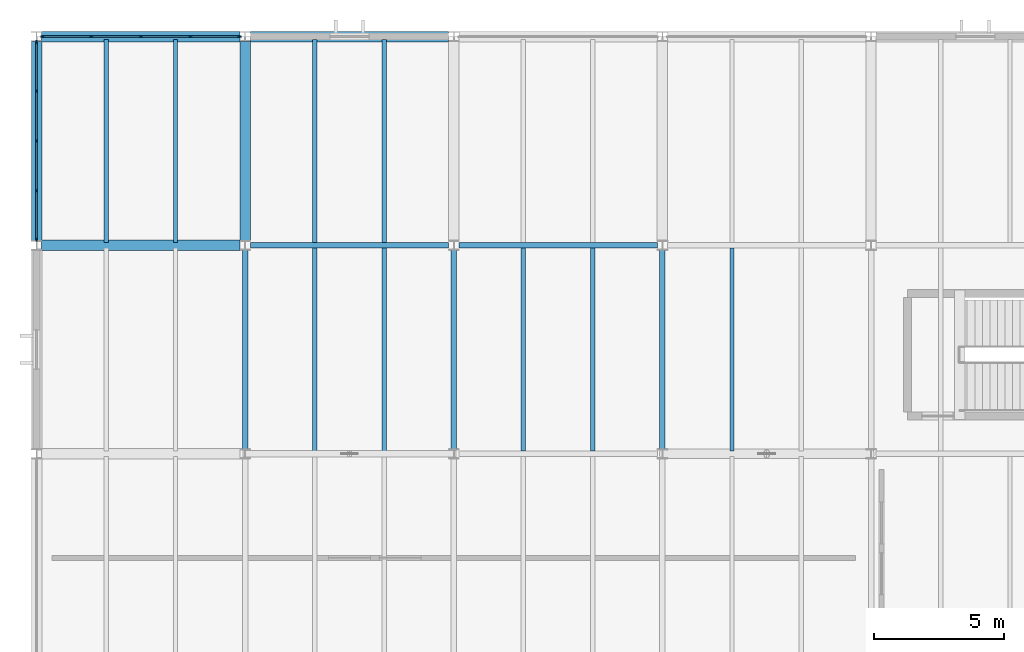
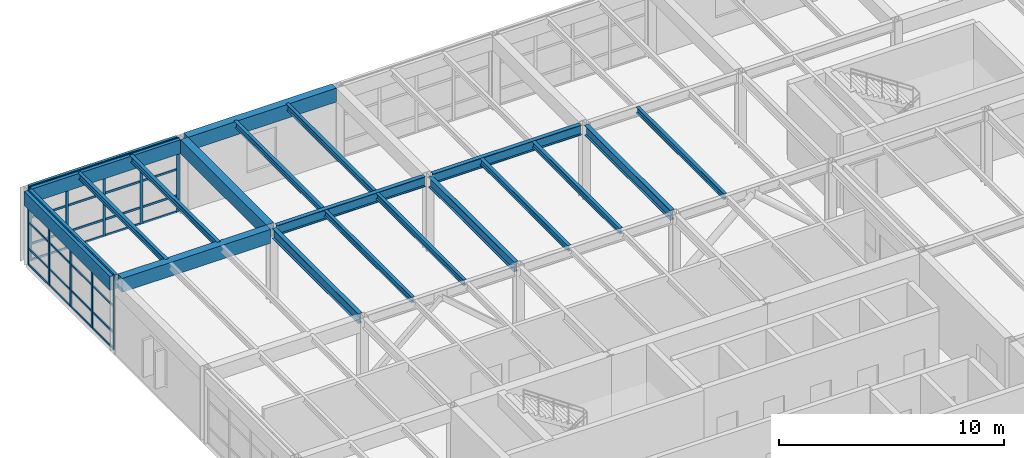
# One storey, part 15 of 48: 42 members, 19 beams, 2 elements without a shape of their own.
"""IFC4 building model written with IfcOpenShell, lengths in metres."""

from ifc_helpers import new_model, si_unit, direction, frame, origin, origin_2d, place, context, subcontext, project, spatial, rectangle, i_section, extrude, material, layer, layer_set, material_profile, profile_set, type_object, element, aggregate, save


model = new_model("IFC4")

# Units and contexts
model_context = context("Model", 3, precision=1e-05, world=origin(), true_north=direction((0.0, 1.0)))
body_context = subcontext(model_context, "Body", "Model", "MODEL_VIEW")
ifc_project = project(units=[si_unit("LENGTHUNIT", "METRE"), si_unit("AREAUNIT", "SQUARE_METRE"), si_unit("VOLUMEUNIT", "CUBIC_METRE"), si_unit("PLANEANGLEUNIT", "RADIAN"), si_unit("MASSUNIT", "GRAM", prefix="KILO")], contexts=[model_context])

# Site, building, storey
site_placement = place(None, origin())
site = spatial("IfcSite", under=ifc_project, at=site_placement, CompositionType="ELEMENT")
building_placement = place(site_placement, origin())
building = spatial("IfcBuilding", under=site, at=building_placement, Name="Varnela Railside Interchange", CompositionType="ELEMENT")
storey_placement = place(building_placement, frame((0.0, 0.0, 11.199951171875)))
storey = spatial("IfcBuildingStorey", under=building, at=storey_placement, Name="L02", CompositionType="ELEMENT", Elevation=11.199951171875)

# Beams
ifc_material_1 = material(Name="Steel AR 350 (350 MPa)", Category="steel")
ifc_material_profile_1 = material_profile(ifc_material_1, i_section(OverallWidth=0.2109375, OverallDepth=0.5390625, WebThickness=0.01171875, FlangeThickness=0.018798828125, at=origin_2d()), Name="W530x109")
ifc_profile_set_1 = profile_set([ifc_material_profile_1], Name="Steel AR 350 (350 MPa)")
beam_type_1 = type_object("IfcBeamType", Name="Composite Girder B-17", PredefinedType="BEAM", material=ifc_profile_set_1)
for number, where, z_axis, x_axis, name in (
    (1, (12.0, 78.1875, 3.73046875), (0.0, 1.0, 0.0), (-1.0, 0.0, 0.0), "Composite Girder B-17 (L02) (BM-2066)"),
    (2, (20.0, 78.1875, 3.73046875), (0.0, 1.0, 0.0), (-1.0, 0.0, 0.0), "Composite Girder B-17 (L02) (BM-2071)"),
    (3, (28.0, 78.1875, 3.73046875), (0.0, 1.0, 0.0), (-1.0, 0.0, 0.0), "Composite Girder B-17 (L02) (BM-2076)"),
):
    element("IfcBeam", number, at=place(storey_placement, frame(where, z_axis=z_axis, x_axis=x_axis)), inside=storey, type_object=beam_type_1, Name=name, PredefinedType="BEAM", context=body_context, shape_type="SweptSolid", body=[
        extrude(i_section(OverallWidth=0.2109375, OverallDepth=0.5390625, WebThickness=0.01171875, FlangeThickness=0.018798828125, at=origin_2d()), origin(), (0.0, 0.0, 1.0), 7.625),
    ])
ifc_material_profile_2 = material_profile(ifc_material_1, i_section(OverallWidth=0.2119140625, OverallDepth=0.5439453125, WebThickness=0.01318359375, FlangeThickness=0.021240234375, at=origin_2d()), Name="W530x123")
ifc_profile_set_2 = profile_set([ifc_material_profile_2], Name="Steel AR 350 (350 MPa)")
beam_type_2 = type_object("IfcBeamType", Name="Composite Heavy Girder B-16", PredefinedType="BEAM", material=ifc_profile_set_2)
for number, where, z_axis, x_axis, name in (
    (4, (12.197021484375, 86.0, 3.72802734375), (1.0, 0.0, 0.0), (0.0, 1.0, 0.0), "Composite Heavy Girder B-16 (L02) (BM-2003)"),
    (5, (20.197021484375, 86.0, 3.72802734375), (1.0, 0.0, 0.0), (0.0, 1.0, 0.0), "Composite Heavy Girder B-16 (L02) (BM-2005)"),
):
    element("IfcBeam", number, at=place(storey_placement, frame(where, z_axis=z_axis, x_axis=x_axis)), inside=storey, type_object=beam_type_2, Name=name, PredefinedType="BEAM", context=body_context, shape_type="SweptSolid", body=[
        extrude(i_section(OverallWidth=0.2119140625, OverallDepth=0.5439453125, WebThickness=0.01318359375, FlangeThickness=0.021240234375, at=origin_2d()), origin(), (0.0, 0.0, 1.0), 7.60595703125),
    ])
ifc_material_profile_3 = material_profile(ifc_material_1, i_section(OverallWidth=0.1669921875, OverallDepth=0.31689453125, WebThickness=0.007568359375, FlangeThickness=0.01318359375, at=origin_2d()), Name="W310x52")
ifc_profile_set_3 = profile_set([ifc_material_profile_3], Name="Steel AR 350 (350 MPa)")
beam_type_3 = type_object("IfcBeamType", Name="Composite Long-Span Joist J-03", PredefinedType="JOIST", material=ifc_profile_set_3)
for number, where, z_axis, x_axis, name in (
    (6, (6.669921875, 86.10595703125, 3.841552734375), (0.0, 1.0, 0.0), (-1.0, 0.0, 0.0), "Composite Long-Span Joist J-03 (L02) (BM-1825)"),
    (7, (9.330078125, 86.10595703125, 3.841552734375), (0.0, 1.0, 0.0), (-1.0, 0.0, 0.0), "Composite Long-Span Joist J-03 (L02) (BM-1826)"),
    (8, (14.669921875, 78.10595703125, 3.841552734375), (0.0, 1.0, 0.0), (-1.0, 0.0, 0.0), "Composite Long-Span Joist J-03 (L02) (BM-1884)"),
    (9, (17.330078125, 78.10595703125, 3.841552734375), (0.0, 1.0, 0.0), (-1.0, 0.0, 0.0), "Composite Long-Span Joist J-03 (L02) (BM-1885)"),
    (10, (14.669921875, 86.10595703125, 3.841552734375), (0.0, 1.0, 0.0), (-1.0, 0.0, 0.0), "Composite Long-Span Joist J-03 (L02) (BM-1876)"),
    (11, (17.330078125, 86.10595703125, 3.841552734375), (0.0, 1.0, 0.0), (-1.0, 0.0, 0.0), "Composite Long-Span Joist J-03 (L02) (BM-1877)"),
    (12, (22.669921875, 78.10595703125, 3.841552734375), (0.0, 1.0, 0.0), (-1.0, 0.0, 0.0), "Composite Long-Span Joist J-03 (L02) (BM-1894)"),
    (13, (25.330078125, 78.10595703125, 3.841552734375), (0.0, 1.0, 0.0), (-1.0, 0.0, 0.0), "Composite Long-Span Joist J-03 (L02) (BM-1895)"),
    (14, (30.669921875, 78.10595703125, 3.841552734375), (0.0, 1.0, 0.0), (-1.0, 0.0, 0.0), "Composite Long-Span Joist J-03 (L02) (BM-1904)"),
):
    element("IfcBeam", number, at=place(storey_placement, frame(where, z_axis=z_axis, x_axis=x_axis)), inside=storey, type_object=beam_type_3, Name=name, PredefinedType="JOIST", context=body_context, shape_type="SweptSolid", body=[
        extrude(i_section(OverallWidth=0.1669921875, OverallDepth=0.31689453125, WebThickness=0.007568359375, FlangeThickness=0.01318359375, at=origin_2d()), origin(), (0.0, 0.0, 1.0), 7.7880859375),
    ])

# Curtain wall, members
ifc_material_2 = material(Name="Aluminium 6063-T6", Category="aluminium")
ifc_layer = layer(ifc_material_2, 0.035888671875)
ifc_layer_set = layer_set([ifc_layer], Name="Aluminium 6063-T6")
curtain_wall_type = type_object("IfcCurtainWallType", Name="Operations Wing Facade Curtain Wall CW-03", PredefinedType="USERDEFINED", material=ifc_layer_set)
curtain_wall_1_placement = place(storey_placement, origin())
curtain_wall_1 = element("IfcCurtainWall", 15, at=curtain_wall_1_placement, inside=storey, type_object=curtain_wall_type, Name="Curtain Wall CW-03 (L02) (CW-061)", ObjectType="CURTAIN WALL", PredefinedType="USERDEFINED")
ifc_material_profile_4 = material_profile(ifc_material_2, rectangle(XDim=0.06005859375, YDim=0.139892578125, at=origin_2d()), Name="ALU 60x140")
ifc_profile_set_4 = profile_set([ifc_material_profile_4], Name="Aluminium 6063-T6")
member_type_1 = type_object("IfcMemberType", Name="Curtain Wall Mullion ML-01", PredefinedType="MULLION", material=ifc_profile_set_4)
member_1_placement = place(storey_placement, frame((4.0, 86.217529296875, 0.0), z_axis=(0.0, 0.0, 1.0), x_axis=(-1.0, 0.0, 0.0)))
member_1 = element("IfcMember", 16, at=member_1_placement, type_object=member_type_1, Name="CW-03 mullion 1", PredefinedType="MULLION", context=body_context, shape_type="SweptSolid", body=[
    extrude(rectangle(XDim=0.06005859375, YDim=0.139892578125, at=origin_2d()), origin(), (0.0, 0.0, 1.0), 4.0),
])
member_2_placement = place(storey_placement, frame((4.0, 88.09375, 0.0), z_axis=(0.0, 0.0, 1.0), x_axis=(-1.0, 0.0, 0.0)))
member_2 = element("IfcMember", 17, at=member_2_placement, type_object=member_type_1, Name="CW-03 mullion 2", PredefinedType="MULLION", context=body_context, shape_type="SweptSolid", body=[
    extrude(rectangle(XDim=0.06005859375, YDim=0.139892578125, at=origin_2d()), origin(), (0.0, 0.0, 1.0), 4.0),
])
member_3_placement = place(storey_placement, frame((4.0, 90.0, 0.0), z_axis=(0.0, 0.0, 1.0), x_axis=(-1.0, 0.0, 0.0)))
member_3 = element("IfcMember", 18, at=member_3_placement, type_object=member_type_1, Name="CW-03 mullion 3", PredefinedType="MULLION", context=body_context, shape_type="SweptSolid", body=[
    extrude(rectangle(XDim=0.06005859375, YDim=0.139892578125, at=origin_2d()), origin(), (0.0, 0.0, 1.0), 4.0),
])
member_4_placement = place(storey_placement, frame((4.0, 91.90625, 0.0), z_axis=(0.0, 0.0, 1.0), x_axis=(-1.0, 0.0, 0.0)))
member_4 = element("IfcMember", 19, at=member_4_placement, type_object=member_type_1, Name="CW-03 mullion 4", PredefinedType="MULLION", context=body_context, shape_type="SweptSolid", body=[
    extrude(rectangle(XDim=0.06005859375, YDim=0.139892578125, at=origin_2d()), origin(), (0.0, 0.0, 1.0), 4.0),
])
member_5_placement = place(storey_placement, frame((4.0, 93.782470703125, 0.0), z_axis=(0.0, 0.0, 1.0), x_axis=(-1.0, 0.0, 0.0)))
member_5 = element("IfcMember", 20, at=member_5_placement, type_object=member_type_1, Name="CW-03 mullion 5", PredefinedType="MULLION", context=body_context, shape_type="SweptSolid", body=[
    extrude(rectangle(XDim=0.06005859375, YDim=0.139892578125, at=origin_2d()), origin(), (0.0, 0.0, 1.0), 4.0),
])

curtain_wall_2_placement = place(storey_placement, origin())
curtain_wall_2 = element("IfcCurtainWall", 21, at=curtain_wall_2_placement, inside=storey, type_object=curtain_wall_type, Name="Curtain Wall CW-03 (L02) (CW-067)", ObjectType="CURTAIN WALL", PredefinedType="USERDEFINED")
member_6_placement = place(storey_placement, frame((4.22705078125, 94.0, 0.0), z_axis=(0.0, 0.0, 1.0), x_axis=(0.0, 1.0, 0.0)))
member_6 = element("IfcMember", 22, at=member_6_placement, type_object=member_type_1, Name="CW-03 mullion 1", PredefinedType="MULLION", context=body_context, shape_type="SweptSolid", body=[
    extrude(rectangle(XDim=0.06005859375, YDim=0.139892578125, at=origin_2d()), origin(), (0.0, 0.0, 1.0), 4.0),
])
member_7_placement = place(storey_placement, frame((6.098388671875, 94.0, 0.0), z_axis=(0.0, 0.0, 1.0), x_axis=(0.0, 1.0, 0.0)))
member_7 = element("IfcMember", 23, at=member_7_placement, type_object=member_type_1, Name="CW-03 mullion 2", PredefinedType="MULLION", context=body_context, shape_type="SweptSolid", body=[
    extrude(rectangle(XDim=0.06005859375, YDim=0.139892578125, at=origin_2d()), origin(), (0.0, 0.0, 1.0), 4.0),
])
member_8_placement = place(storey_placement, frame((8.0, 94.0, 0.0), z_axis=(0.0, 0.0, 1.0), x_axis=(0.0, 1.0, 0.0)))
member_8 = element("IfcMember", 24, at=member_8_placement, type_object=member_type_1, Name="CW-03 mullion 3", PredefinedType="MULLION", context=body_context, shape_type="SweptSolid", body=[
    extrude(rectangle(XDim=0.06005859375, YDim=0.139892578125, at=origin_2d()), origin(), (0.0, 0.0, 1.0), 4.0),
])
member_9_placement = place(storey_placement, frame((9.901611328125, 94.0, 0.0), z_axis=(0.0, 0.0, 1.0), x_axis=(0.0, 1.0, 0.0)))
member_9 = element("IfcMember", 25, at=member_9_placement, type_object=member_type_1, Name="CW-03 mullion 4", PredefinedType="MULLION", context=body_context, shape_type="SweptSolid", body=[
    extrude(rectangle(XDim=0.06005859375, YDim=0.139892578125, at=origin_2d()), origin(), (0.0, 0.0, 1.0), 4.0),
])
member_10_placement = place(storey_placement, frame((11.77294921875, 94.0, 0.0), z_axis=(0.0, 0.0, 1.0), x_axis=(0.0, 1.0, 0.0)))
member_10 = element("IfcMember", 26, at=member_10_placement, type_object=member_type_1, Name="CW-03 mullion 5", PredefinedType="MULLION", context=body_context, shape_type="SweptSolid", body=[
    extrude(rectangle(XDim=0.06005859375, YDim=0.139892578125, at=origin_2d()), origin(), (0.0, 0.0, 1.0), 4.0),
])

# Member
ifc_material_profile_5 = material_profile(ifc_material_2, rectangle(XDim=0.06005859375, YDim=0.110107421875, at=origin_2d()), Name="ALU 60x110")
ifc_profile_set_5 = profile_set([ifc_material_profile_5], Name="Aluminium 6063-T6")
member_type_2 = type_object("IfcMemberType", Name="Curtain Wall Transom TR-01", PredefinedType="USERDEFINED", material=ifc_profile_set_5)
member_11_placement = place(storey_placement, frame((4.0, 86.24755859375, 0.030029296875), z_axis=(0.0, 1.0, 0.0), x_axis=(-1.0, 0.0, 0.0)))
member_11 = element("IfcMember", 27, at=member_11_placement, type_object=member_type_2, Name="CW-03 transom 1.1", ObjectType="TRANSOM", PredefinedType="USERDEFINED", context=body_context, shape_type="SweptSolid", body=[
    extrude(rectangle(XDim=0.06005859375, YDim=0.110107421875, at=origin_2d()), origin(), (0.0, 0.0, 1.0), 1.816162109375),
])

member_12_placement = place(storey_placement, frame((4.0, 86.24755859375, 0.900146484375), z_axis=(0.0, 1.0, 0.0), x_axis=(-1.0, 0.0, 0.0)))
member_12 = element("IfcMember", 28, at=member_12_placement, type_object=member_type_2, Name="CW-03 transom 1.2", ObjectType="TRANSOM", PredefinedType="USERDEFINED", context=body_context, shape_type="SweptSolid", body=[
    extrude(rectangle(XDim=0.06005859375, YDim=0.110107421875, at=origin_2d()), origin(), (0.0, 0.0, 1.0), 1.816162109375),
])

member_13_placement = place(storey_placement, frame((4.0, 86.24755859375, 2.320068359375), z_axis=(0.0, 1.0, 0.0), x_axis=(-1.0, 0.0, 0.0)))
member_13 = element("IfcMember", 29, at=member_13_placement, type_object=member_type_2, Name="CW-03 transom 1.3", ObjectType="TRANSOM", PredefinedType="USERDEFINED", context=body_context, shape_type="SweptSolid", body=[
    extrude(rectangle(XDim=0.06005859375, YDim=0.110107421875, at=origin_2d()), origin(), (0.0, 0.0, 1.0), 1.816162109375),
])

member_14_placement = place(storey_placement, frame((4.0, 86.24755859375, 3.969970703125), z_axis=(0.0, 1.0, 0.0), x_axis=(-1.0, 0.0, 0.0)))
member_14 = element("IfcMember", 30, at=member_14_placement, type_object=member_type_2, Name="CW-03 transom 1.4", ObjectType="TRANSOM", PredefinedType="USERDEFINED", context=body_context, shape_type="SweptSolid", body=[
    extrude(rectangle(XDim=0.06005859375, YDim=0.110107421875, at=origin_2d()), origin(), (0.0, 0.0, 1.0), 1.816162109375),
])

member_15_placement = place(storey_placement, frame((4.0, 88.123779296875, 0.030029296875), z_axis=(0.0, 1.0, 0.0), x_axis=(-1.0, 0.0, 0.0)))
member_15 = element("IfcMember", 31, at=member_15_placement, type_object=member_type_2, Name="CW-03 transom 2.1", ObjectType="TRANSOM", PredefinedType="USERDEFINED", context=body_context, shape_type="SweptSolid", body=[
    extrude(rectangle(XDim=0.06005859375, YDim=0.110107421875, at=origin_2d()), origin(), (0.0, 0.0, 1.0), 1.84619140625),
])

member_16_placement = place(storey_placement, frame((4.0, 88.123779296875, 0.900146484375), z_axis=(0.0, 1.0, 0.0), x_axis=(-1.0, 0.0, 0.0)))
member_16 = element("IfcMember", 32, at=member_16_placement, type_object=member_type_2, Name="CW-03 transom 2.2", ObjectType="TRANSOM", PredefinedType="USERDEFINED", context=body_context, shape_type="SweptSolid", body=[
    extrude(rectangle(XDim=0.06005859375, YDim=0.110107421875, at=origin_2d()), origin(), (0.0, 0.0, 1.0), 1.84619140625),
])

member_17_placement = place(storey_placement, frame((4.0, 88.123779296875, 2.320068359375), z_axis=(0.0, 1.0, 0.0), x_axis=(-1.0, 0.0, 0.0)))
member_17 = element("IfcMember", 33, at=member_17_placement, type_object=member_type_2, Name="CW-03 transom 2.3", ObjectType="TRANSOM", PredefinedType="USERDEFINED", context=body_context, shape_type="SweptSolid", body=[
    extrude(rectangle(XDim=0.06005859375, YDim=0.110107421875, at=origin_2d()), origin(), (0.0, 0.0, 1.0), 1.84619140625),
])

member_18_placement = place(storey_placement, frame((4.0, 88.123779296875, 3.969970703125), z_axis=(0.0, 1.0, 0.0), x_axis=(-1.0, 0.0, 0.0)))
member_18 = element("IfcMember", 34, at=member_18_placement, type_object=member_type_2, Name="CW-03 transom 2.4", ObjectType="TRANSOM", PredefinedType="USERDEFINED", context=body_context, shape_type="SweptSolid", body=[
    extrude(rectangle(XDim=0.06005859375, YDim=0.110107421875, at=origin_2d()), origin(), (0.0, 0.0, 1.0), 1.84619140625),
])

member_19_placement = place(storey_placement, frame((4.0, 90.030029296875, 0.030029296875), z_axis=(0.0, 1.0, 0.0), x_axis=(-1.0, 0.0, 0.0)))
member_19 = element("IfcMember", 35, at=member_19_placement, type_object=member_type_2, Name="CW-03 transom 3.1", ObjectType="TRANSOM", PredefinedType="USERDEFINED", context=body_context, shape_type="SweptSolid", body=[
    extrude(rectangle(XDim=0.06005859375, YDim=0.110107421875, at=origin_2d()), origin(), (0.0, 0.0, 1.0), 1.84619140625),
])

member_20_placement = place(storey_placement, frame((4.0, 90.030029296875, 0.900146484375), z_axis=(0.0, 1.0, 0.0), x_axis=(-1.0, 0.0, 0.0)))
member_20 = element("IfcMember", 36, at=member_20_placement, type_object=member_type_2, Name="CW-03 transom 3.2", ObjectType="TRANSOM", PredefinedType="USERDEFINED", context=body_context, shape_type="SweptSolid", body=[
    extrude(rectangle(XDim=0.06005859375, YDim=0.110107421875, at=origin_2d()), origin(), (0.0, 0.0, 1.0), 1.84619140625),
])

member_21_placement = place(storey_placement, frame((4.0, 90.030029296875, 2.320068359375), z_axis=(0.0, 1.0, 0.0), x_axis=(-1.0, 0.0, 0.0)))
member_21 = element("IfcMember", 37, at=member_21_placement, type_object=member_type_2, Name="CW-03 transom 3.3", ObjectType="TRANSOM", PredefinedType="USERDEFINED", context=body_context, shape_type="SweptSolid", body=[
    extrude(rectangle(XDim=0.06005859375, YDim=0.110107421875, at=origin_2d()), origin(), (0.0, 0.0, 1.0), 1.84619140625),
])

member_22_placement = place(storey_placement, frame((4.0, 90.030029296875, 3.969970703125), z_axis=(0.0, 1.0, 0.0), x_axis=(-1.0, 0.0, 0.0)))
member_22 = element("IfcMember", 38, at=member_22_placement, type_object=member_type_2, Name="CW-03 transom 3.4", ObjectType="TRANSOM", PredefinedType="USERDEFINED", context=body_context, shape_type="SweptSolid", body=[
    extrude(rectangle(XDim=0.06005859375, YDim=0.110107421875, at=origin_2d()), origin(), (0.0, 0.0, 1.0), 1.84619140625),
])

member_23_placement = place(storey_placement, frame((4.0, 91.936279296875, 0.030029296875), z_axis=(0.0, 1.0, 0.0), x_axis=(-1.0, 0.0, 0.0)))
member_23 = element("IfcMember", 39, at=member_23_placement, type_object=member_type_2, Name="CW-03 transom 4.1", ObjectType="TRANSOM", PredefinedType="USERDEFINED", context=body_context, shape_type="SweptSolid", body=[
    extrude(rectangle(XDim=0.06005859375, YDim=0.110107421875, at=origin_2d()), origin(), (0.0, 0.0, 1.0), 1.816162109375),
])

member_24_placement = place(storey_placement, frame((4.0, 91.936279296875, 0.900146484375), z_axis=(0.0, 1.0, 0.0), x_axis=(-1.0, 0.0, 0.0)))
member_24 = element("IfcMember", 40, at=member_24_placement, type_object=member_type_2, Name="CW-03 transom 4.2", ObjectType="TRANSOM", PredefinedType="USERDEFINED", context=body_context, shape_type="SweptSolid", body=[
    extrude(rectangle(XDim=0.06005859375, YDim=0.110107421875, at=origin_2d()), origin(), (0.0, 0.0, 1.0), 1.816162109375),
])

member_25_placement = place(storey_placement, frame((4.0, 91.936279296875, 2.320068359375), z_axis=(0.0, 1.0, 0.0), x_axis=(-1.0, 0.0, 0.0)))
member_25 = element("IfcMember", 41, at=member_25_placement, type_object=member_type_2, Name="CW-03 transom 4.3", ObjectType="TRANSOM", PredefinedType="USERDEFINED", context=body_context, shape_type="SweptSolid", body=[
    extrude(rectangle(XDim=0.06005859375, YDim=0.110107421875, at=origin_2d()), origin(), (0.0, 0.0, 1.0), 1.816162109375),
])

member_26_placement = place(storey_placement, frame((4.0, 91.936279296875, 3.969970703125), z_axis=(0.0, 1.0, 0.0), x_axis=(-1.0, 0.0, 0.0)))
member_26 = element("IfcMember", 42, at=member_26_placement, type_object=member_type_2, Name="CW-03 transom 4.4", ObjectType="TRANSOM", PredefinedType="USERDEFINED", context=body_context, shape_type="SweptSolid", body=[
    extrude(rectangle(XDim=0.06005859375, YDim=0.110107421875, at=origin_2d()), origin(), (0.0, 0.0, 1.0), 1.816162109375),
])

aggregate(curtain_wall_1, [member_1, member_2, member_3, member_4, member_5, member_11, member_12, member_13, member_14, member_15, member_16, member_17, member_18, member_19, member_20, member_21, member_22, member_23, member_24, member_25, member_26])

member_27_placement = place(storey_placement, frame((4.257080078125, 94.0, 0.030029296875), z_axis=(1.0, 0.0, 0.0), x_axis=(0.0, 1.0, 0.0)))
member_27 = element("IfcMember", 43, at=member_27_placement, type_object=member_type_2, Name="CW-03 transom 1.1", ObjectType="TRANSOM", PredefinedType="USERDEFINED", context=body_context, shape_type="SweptSolid", body=[
    extrude(rectangle(XDim=0.06005859375, YDim=0.110107421875, at=origin_2d()), origin(), (0.0, 0.0, 1.0), 1.8115234375),
])

member_28_placement = place(storey_placement, frame((4.257080078125, 94.0, 0.900146484375), z_axis=(1.0, 0.0, 0.0), x_axis=(0.0, 1.0, 0.0)))
member_28 = element("IfcMember", 44, at=member_28_placement, type_object=member_type_2, Name="CW-03 transom 1.2", ObjectType="TRANSOM", PredefinedType="USERDEFINED", context=body_context, shape_type="SweptSolid", body=[
    extrude(rectangle(XDim=0.06005859375, YDim=0.110107421875, at=origin_2d()), origin(), (0.0, 0.0, 1.0), 1.8115234375),
])

member_29_placement = place(storey_placement, frame((4.257080078125, 94.0, 2.320068359375), z_axis=(1.0, 0.0, 0.0), x_axis=(0.0, 1.0, 0.0)))
member_29 = element("IfcMember", 45, at=member_29_placement, type_object=member_type_2, Name="CW-03 transom 1.3", ObjectType="TRANSOM", PredefinedType="USERDEFINED", context=body_context, shape_type="SweptSolid", body=[
    extrude(rectangle(XDim=0.06005859375, YDim=0.110107421875, at=origin_2d()), origin(), (0.0, 0.0, 1.0), 1.8115234375),
])

member_30_placement = place(storey_placement, frame((4.257080078125, 94.0, 3.969970703125), z_axis=(1.0, 0.0, 0.0), x_axis=(0.0, 1.0, 0.0)))
member_30 = element("IfcMember", 46, at=member_30_placement, type_object=member_type_2, Name="CW-03 transom 1.4", ObjectType="TRANSOM", PredefinedType="USERDEFINED", context=body_context, shape_type="SweptSolid", body=[
    extrude(rectangle(XDim=0.06005859375, YDim=0.110107421875, at=origin_2d()), origin(), (0.0, 0.0, 1.0), 1.8115234375),
])

member_31_placement = place(storey_placement, frame((6.12841796875, 94.0, 0.030029296875), z_axis=(1.0, 0.0, 0.0), x_axis=(0.0, 1.0, 0.0)))
member_31 = element("IfcMember", 47, at=member_31_placement, type_object=member_type_2, Name="CW-03 transom 2.1", ObjectType="TRANSOM", PredefinedType="USERDEFINED", context=body_context, shape_type="SweptSolid", body=[
    extrude(rectangle(XDim=0.06005859375, YDim=0.110107421875, at=origin_2d()), origin(), (0.0, 0.0, 1.0), 1.841552734375),
])

member_32_placement = place(storey_placement, frame((6.12841796875, 94.0, 0.900146484375), z_axis=(1.0, 0.0, 0.0), x_axis=(0.0, 1.0, 0.0)))
member_32 = element("IfcMember", 48, at=member_32_placement, type_object=member_type_2, Name="CW-03 transom 2.2", ObjectType="TRANSOM", PredefinedType="USERDEFINED", context=body_context, shape_type="SweptSolid", body=[
    extrude(rectangle(XDim=0.06005859375, YDim=0.110107421875, at=origin_2d()), origin(), (0.0, 0.0, 1.0), 1.841552734375),
])

member_33_placement = place(storey_placement, frame((6.12841796875, 94.0, 2.320068359375), z_axis=(1.0, 0.0, 0.0), x_axis=(0.0, 1.0, 0.0)))
member_33 = element("IfcMember", 49, at=member_33_placement, type_object=member_type_2, Name="CW-03 transom 2.3", ObjectType="TRANSOM", PredefinedType="USERDEFINED", context=body_context, shape_type="SweptSolid", body=[
    extrude(rectangle(XDim=0.06005859375, YDim=0.110107421875, at=origin_2d()), origin(), (0.0, 0.0, 1.0), 1.841552734375),
])

member_34_placement = place(storey_placement, frame((6.12841796875, 94.0, 3.969970703125), z_axis=(1.0, 0.0, 0.0), x_axis=(0.0, 1.0, 0.0)))
member_34 = element("IfcMember", 50, at=member_34_placement, type_object=member_type_2, Name="CW-03 transom 2.4", ObjectType="TRANSOM", PredefinedType="USERDEFINED", context=body_context, shape_type="SweptSolid", body=[
    extrude(rectangle(XDim=0.06005859375, YDim=0.110107421875, at=origin_2d()), origin(), (0.0, 0.0, 1.0), 1.841552734375),
])

member_35_placement = place(storey_placement, frame((8.030029296875, 94.0, 0.030029296875), z_axis=(1.0, 0.0, 0.0), x_axis=(0.0, 1.0, 0.0)))
member_35 = element("IfcMember", 51, at=member_35_placement, type_object=member_type_2, Name="CW-03 transom 3.1", ObjectType="TRANSOM", PredefinedType="USERDEFINED", context=body_context, shape_type="SweptSolid", body=[
    extrude(rectangle(XDim=0.06005859375, YDim=0.110107421875, at=origin_2d()), origin(), (0.0, 0.0, 1.0), 1.841552734375),
])

member_36_placement = place(storey_placement, frame((8.030029296875, 94.0, 0.900146484375), z_axis=(1.0, 0.0, 0.0), x_axis=(0.0, 1.0, 0.0)))
member_36 = element("IfcMember", 52, at=member_36_placement, type_object=member_type_2, Name="CW-03 transom 3.2", ObjectType="TRANSOM", PredefinedType="USERDEFINED", context=body_context, shape_type="SweptSolid", body=[
    extrude(rectangle(XDim=0.06005859375, YDim=0.110107421875, at=origin_2d()), origin(), (0.0, 0.0, 1.0), 1.841552734375),
])

member_37_placement = place(storey_placement, frame((8.030029296875, 94.0, 2.320068359375), z_axis=(1.0, 0.0, 0.0), x_axis=(0.0, 1.0, 0.0)))
member_37 = element("IfcMember", 53, at=member_37_placement, type_object=member_type_2, Name="CW-03 transom 3.3", ObjectType="TRANSOM", PredefinedType="USERDEFINED", context=body_context, shape_type="SweptSolid", body=[
    extrude(rectangle(XDim=0.06005859375, YDim=0.110107421875, at=origin_2d()), origin(), (0.0, 0.0, 1.0), 1.841552734375),
])

member_38_placement = place(storey_placement, frame((8.030029296875, 94.0, 3.969970703125), z_axis=(1.0, 0.0, 0.0), x_axis=(0.0, 1.0, 0.0)))
member_38 = element("IfcMember", 54, at=member_38_placement, type_object=member_type_2, Name="CW-03 transom 3.4", ObjectType="TRANSOM", PredefinedType="USERDEFINED", context=body_context, shape_type="SweptSolid", body=[
    extrude(rectangle(XDim=0.06005859375, YDim=0.110107421875, at=origin_2d()), origin(), (0.0, 0.0, 1.0), 1.841552734375),
])

member_39_placement = place(storey_placement, frame((9.931396484375, 94.0, 0.030029296875), z_axis=(1.0, 0.0, 0.0), x_axis=(0.0, 1.0, 0.0)))
member_39 = element("IfcMember", 55, at=member_39_placement, type_object=member_type_2, Name="CW-03 transom 4.1", ObjectType="TRANSOM", PredefinedType="USERDEFINED", context=body_context, shape_type="SweptSolid", body=[
    extrude(rectangle(XDim=0.06005859375, YDim=0.110107421875, at=origin_2d()), origin(), (0.0, 0.0, 1.0), 1.8115234375),
])

member_40_placement = place(storey_placement, frame((9.931396484375, 94.0, 0.900146484375), z_axis=(1.0, 0.0, 0.0), x_axis=(0.0, 1.0, 0.0)))
member_40 = element("IfcMember", 56, at=member_40_placement, type_object=member_type_2, Name="CW-03 transom 4.2", ObjectType="TRANSOM", PredefinedType="USERDEFINED", context=body_context, shape_type="SweptSolid", body=[
    extrude(rectangle(XDim=0.06005859375, YDim=0.110107421875, at=origin_2d()), origin(), (0.0, 0.0, 1.0), 1.8115234375),
])

member_41_placement = place(storey_placement, frame((9.931396484375, 94.0, 2.320068359375), z_axis=(1.0, 0.0, 0.0), x_axis=(0.0, 1.0, 0.0)))
member_41 = element("IfcMember", 57, at=member_41_placement, type_object=member_type_2, Name="CW-03 transom 4.3", ObjectType="TRANSOM", PredefinedType="USERDEFINED", context=body_context, shape_type="SweptSolid", body=[
    extrude(rectangle(XDim=0.06005859375, YDim=0.110107421875, at=origin_2d()), origin(), (0.0, 0.0, 1.0), 1.8115234375),
])

member_42_placement = place(storey_placement, frame((9.931396484375, 94.0, 3.969970703125), z_axis=(1.0, 0.0, 0.0), x_axis=(0.0, 1.0, 0.0)))
member_42 = element("IfcMember", 58, at=member_42_placement, type_object=member_type_2, Name="CW-03 transom 4.4", ObjectType="TRANSOM", PredefinedType="USERDEFINED", context=body_context, shape_type="SweptSolid", body=[
    extrude(rectangle(XDim=0.06005859375, YDim=0.110107421875, at=origin_2d()), origin(), (0.0, 0.0, 1.0), 1.8115234375),
])

aggregate(curtain_wall_2, [member_6, member_7, member_8, member_9, member_10, member_27, member_28, member_29, member_30, member_31, member_32, member_33, member_34, member_35, member_36, member_37, member_38, member_39, member_40, member_41, member_42])

# Beams
ifc_material_3 = material(Name="Concrete C40 precast", Category="concrete")
ifc_material_profile_6 = material_profile(ifc_material_3, rectangle(XDim=0.39990234375, YDim=0.75, at=origin_2d()), Name="PC 400x750")
ifc_profile_set_6 = profile_set([ifc_material_profile_6], Name="Concrete C40 precast")
beam_type_4 = type_object("IfcBeamType", Name="Precast Facade Spandrel SP-03", PredefinedType="SPANDREL", material=ifc_profile_set_6)
for number, where, z_axis, x_axis, name in (
    (59, (4.197021484375, 86.0, 3.625), (1.0, 0.0, 0.0), (0.0, 1.0, 0.0), "Precast Facade Spandrel SP-03 (L02) (BM-2009)"),
    (60, (4.197021484375, 94.0, 3.625), (1.0, 0.0, 0.0), (0.0, 1.0, 0.0), "Precast Facade Spandrel SP-03 (L02) (BM-2018)"),
    (61, (12.197021484375, 94.0, 3.625), (1.0, 0.0, 0.0), (0.0, 1.0, 0.0), "Precast Facade Spandrel SP-03 (L02) (BM-2012)"),
):
    element("IfcBeam", number, at=place(storey_placement, frame(where, z_axis=z_axis, x_axis=x_axis)), inside=storey, type_object=beam_type_4, Name=name, PredefinedType="SPANDREL", context=body_context, shape_type="SweptSolid", body=[
        extrude(rectangle(XDim=0.39990234375, YDim=0.75, at=origin_2d()), origin(), (0.0, 0.0, 1.0), 7.60595703125),
    ])
for number, where, z_axis, x_axis, name in (
    (62, (4.0, 86.1875, 3.625), (0.0, 1.0, 0.0), (-1.0, 0.0, 0.0), "Precast Facade Spandrel SP-03 (L02) (BM-2056)"),
    (63, (12.0, 86.1875, 3.625), (0.0, 1.0, 0.0), (-1.0, 0.0, 0.0), "Precast Facade Spandrel SP-03 (L02) (BM-2067)"),
):
    element("IfcBeam", number, at=place(storey_placement, frame(where, z_axis=z_axis, x_axis=x_axis)), inside=storey, type_object=beam_type_4, Name=name, PredefinedType="SPANDREL", context=body_context, shape_type="SweptSolid", body=[
        extrude(rectangle(XDim=0.39990234375, YDim=0.75, at=origin_2d()), origin(), (0.0, 0.0, 1.0), 7.625),
    ])

save(model, "model.ifc")
